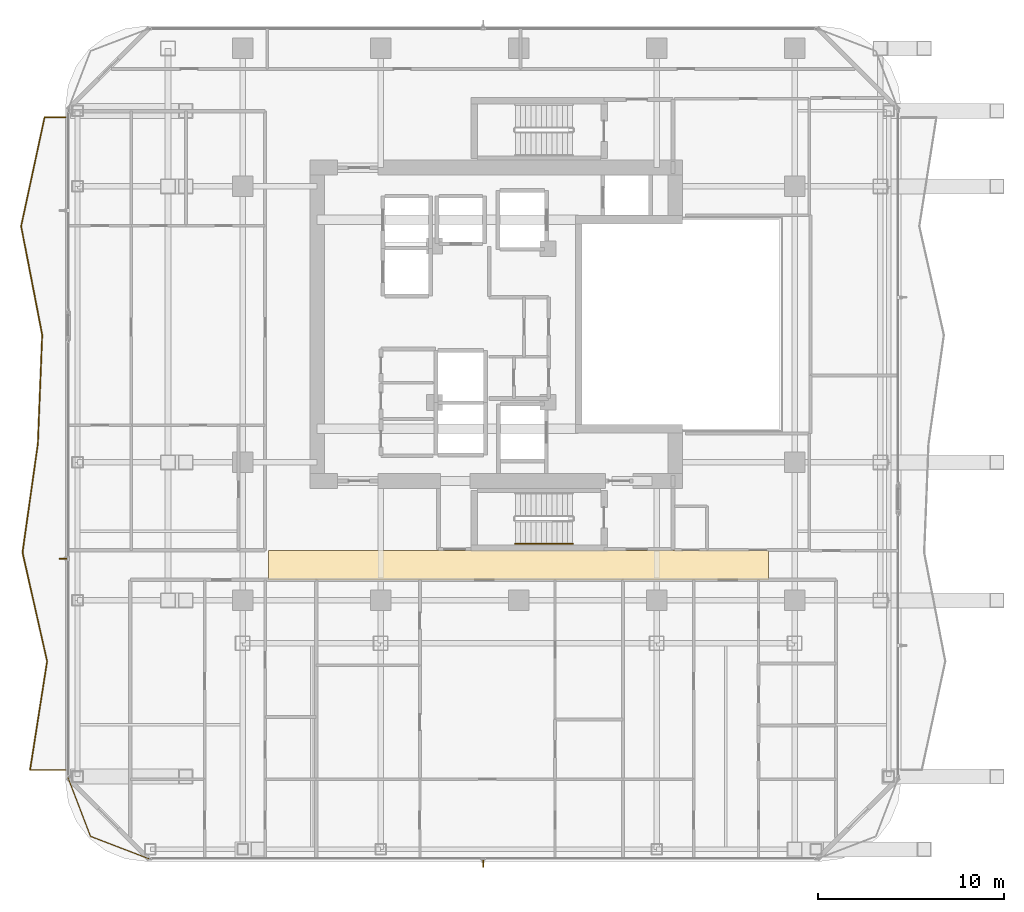
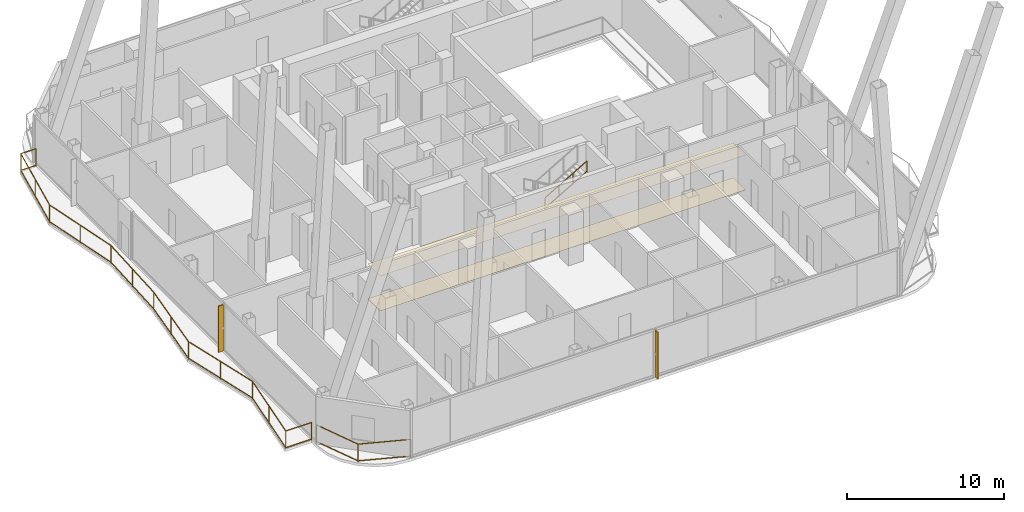
# One storey, part 25 of 27: 3 railings, 2 coverings, 2 shading devices.
"""IFC4 building model written with IfcOpenShell, lengths in metres."""

from ifc_helpers import new_model, si_unit, direction, frame, origin, origin_2d, place, context, subcontext, project, spatial, polyline, rectangle, outline, extrude, material, layer, layer_set, type_object, element, save


model = new_model("IFC4")

# Units and contexts
model_context = context("Model", 3, precision=1e-05, world=origin(), true_north=direction((0.0, 1.0)))
body_context = subcontext(model_context, "Body", "Model", "MODEL_VIEW")
ifc_project = project(units=[si_unit("LENGTHUNIT", "METRE"), si_unit("AREAUNIT", "SQUARE_METRE"), si_unit("VOLUMEUNIT", "CUBIC_METRE"), si_unit("PLANEANGLEUNIT", "RADIAN"), si_unit("MASSUNIT", "GRAM", prefix="KILO")], contexts=[model_context])

# Site, building, storey
site_placement = place(None, origin())
site = spatial("IfcSite", under=ifc_project, at=site_placement, CompositionType="ELEMENT")
building_placement = place(site_placement, origin())
building = spatial("IfcBuilding", under=site, at=building_placement, Name="Khorvyn Point Tower", CompositionType="ELEMENT")
storey_placement = place(building_placement, frame((0.0, 0.0, 203.10009765625)))
storey = spatial("IfcBuildingStorey", under=building, at=storey_placement, Name="L50", CompositionType="ELEMENT", Elevation=203.10009765625)

# Shading devices
ifc_material_1 = material(Name="Bronze anodised aluminium 6063-T6", Category="aluminium")
ifc_layer_1 = layer(ifc_material_1, 0.06494140625)
ifc_layer_set_1 = layer_set([ifc_layer_1], Name="Bronze Anodised Aluminium FIN 380x65")
shading_device_type = type_object("IfcShadingDeviceType", Name="Bronze Anodised Aluminium FIN 380x65", PredefinedType="USERDEFINED", material=ifc_layer_set_1)
for number, where, z_axis, x_axis, name in (
    (1, (-1.89990234375, -28.929931640625, 0.039794921875), (0.0, 0.0, 1.0), (0.0, -1.0, 0.0), "L50 Anodised FIN 01"),
    (2, (-24.429931640625, -12.56640625, 0.039794921875), (0.0, 0.0, 1.0), (-1.0, 0.0, 0.0), "L50 Anodised FIN 01"),
):
    element("IfcShadingDevice", number, at=place(storey_placement, frame(where, z_axis=z_axis, x_axis=x_axis)), inside=storey, type_object=shading_device_type, Name=name, ObjectType="FIN", PredefinedType="USERDEFINED", context=body_context, shape_type="SweptSolid", body=[
        extrude(rectangle(XDim=0.3798828125, YDim=0.06494140625, at=origin_2d()), origin(), (0.0, 0.0, 1.0), 3.60009765625),
    ])

# Railings
ifc_material_2 = material(Name="Anodised aluminium 6063-T6 and laminated safety glass", Category="aluminium")
railing_type_1 = type_object("IfcRailingType", Name="Laminated Glass and Aluminium Balcony Guardrail 1400", PredefinedType="BALUSTRADE", material=ifc_material_2)
railing_1_placement = place(storey_placement, frame((-24.17431640625, -24.28125, 0.0)))
element("IfcRailing", 3, at=railing_1_placement, inside=storey, type_object=railing_type_1, Name="L50 Rounded Corner Edge Guardrail SW", PredefinedType="BALUSTRADE", context=body_context, shape_type="SweptSolid", body=[
    extrude(rectangle(XDim=0.048095703125, YDim=0.048095703125, at=origin_2d()), frame((0.0, 0.0, 1.3759765625), z_axis=(0.358343916815, -0.933589651443, 0.0), x_axis=(0.933589651443, 0.358343916815, 0.0)), (0.0, 0.0, 1.0), 3.400390625),
    extrude(rectangle(XDim=0.048095703125, YDim=0.048095703125, at=origin_2d()), frame((0.0, 0.0, 0.080078125), z_axis=(0.358343916815, -0.933589651443, 0.0), x_axis=(0.933589651443, 0.358343916815, 0.0)), (0.0, 0.0, 1.0), 3.400390625),
    extrude(rectangle(XDim=0.048095703125, YDim=0.048095703125, at=origin_2d()), frame((1.218505859375, -3.174560546875, 1.3759765625), z_axis=(0.933589651443, -0.358343916815, 0.0), x_axis=(0.358343916815, 0.933589651443, 0.0)), (0.0, 0.0, 1.0), 3.400390625),
    extrude(rectangle(XDim=0.048095703125, YDim=0.048095703125, at=origin_2d()), frame((1.218505859375, -3.174560546875, 0.080078125), z_axis=(0.933589651443, -0.358343916815, 0.0), x_axis=(0.358343916815, 0.933589651443, 0.0)), (0.0, 0.0, 1.0), 3.400390625),
    extrude(rectangle(XDim=0.0419921875, YDim=0.0419921875, at=origin_2d()), origin(), (0.0, 0.0, 1.0), 1.351806640625),
    extrude(rectangle(XDim=0.0419921875, YDim=0.0419921875, at=origin_2d()), frame((1.218505859375, -3.174560546875, 0.0)), (0.0, 0.0, 1.0), 1.351806640625),
    extrude(rectangle(XDim=0.0419921875, YDim=0.0419921875, at=origin_2d()), frame((4.39306640625, -4.39306640625, 0.0)), (0.0, 0.0, 1.0), 1.351806640625),
])
railing_2_placement = place(storey_placement, frame((-24.300048828125, 11.10009765625, 0.0)))
element("IfcRailing", 4, at=railing_2_placement, inside=storey, type_object=railing_type_1, Name="L50 West Balcony Guardrail", PredefinedType="BALUSTRADE", context=body_context, shape_type="SweptSolid", body=[
    extrude(rectangle(XDim=0.048095703125, YDim=0.048095703125, at=origin_2d()), frame((0.0, 0.0, 1.3759765625), z_axis=(-1.0, 0.0, 0.0), x_axis=(0.0, -1.0, 0.0)), (0.0, 0.0, 1.0), 1.11865234375),
    extrude(rectangle(XDim=0.048095703125, YDim=0.048095703125, at=origin_2d()), frame((0.0, 0.0, 0.080078125), z_axis=(-1.0, 0.0, 0.0), x_axis=(0.0, -1.0, 0.0)), (0.0, 0.0, 1.0), 1.11865234375),
    extrude(rectangle(XDim=0.048095703125, YDim=0.048095703125, at=origin_2d()), frame((-1.11865234375, 0.0, 1.3759765625), z_axis=(-0.210931383898, -0.977500870223, 0.0), x_axis=(0.977500870223, -0.210931383898, 0.0)), (0.0, 0.0, 1.0), 5.9677734375),
    extrude(rectangle(XDim=0.048095703125, YDim=0.048095703125, at=origin_2d()), frame((-1.11865234375, 0.0, 0.080078125), z_axis=(-0.210931383898, -0.977500870223, 0.0), x_axis=(0.977500870223, -0.210931383898, 0.0)), (0.0, 0.0, 1.0), 5.9677734375),
    extrude(rectangle(XDim=0.048095703125, YDim=0.048095703125, at=origin_2d()), frame((-2.37744140625, -5.83349609375, 1.3759765625), z_axis=(0.190281248462, -0.981729619846, 0.0), x_axis=(0.981729619846, 0.190281248462, 0.0)), (0.0, 0.0, 1.0), 5.94189453125),
    extrude(rectangle(XDim=0.048095703125, YDim=0.048095703125, at=origin_2d()), frame((-2.37744140625, -5.83349609375, 0.080078125), z_axis=(0.190281248462, -0.981729619846, 0.0), x_axis=(0.981729619846, 0.190281248462, 0.0)), (0.0, 0.0, 1.0), 5.94189453125),
    extrude(rectangle(XDim=0.048095703125, YDim=0.048095703125, at=origin_2d()), frame((-1.246826171875, -11.666748046875, 1.3759765625), z_axis=(-0.039770961789, -0.999208822318, 0.0), x_axis=(0.999208822318, -0.039770961789, 0.0)), (0.0, 0.0, 1.0), 5.837890625),
    extrude(rectangle(XDim=0.048095703125, YDim=0.048095703125, at=origin_2d()), frame((-1.246826171875, -11.666748046875, 0.080078125), z_axis=(-0.039770961789, -0.999208822318, 0.0), x_axis=(0.999208822318, -0.039770961789, 0.0)), (0.0, 0.0, 1.0), 5.837890625),
    extrude(rectangle(XDim=0.048095703125, YDim=0.048095703125, at=origin_2d()), frame((-1.47900390625, -17.5, 1.3759765625), z_axis=(-0.13994180172, -0.990159730615, 0.0), x_axis=(0.990159730615, -0.13994180172, 0.0)), (0.0, 0.0, 1.0), 5.891357421875),
    extrude(rectangle(XDim=0.048095703125, YDim=0.048095703125, at=origin_2d()), frame((-1.47900390625, -17.5, 0.080078125), z_axis=(-0.13994180172, -0.990159730615, 0.0), x_axis=(0.990159730615, -0.13994180172, 0.0)), (0.0, 0.0, 1.0), 5.891357421875),
    extrude(rectangle(XDim=0.048095703125, YDim=0.048095703125, at=origin_2d()), frame((-2.303466796875, -23.33349609375, 1.3759765625), z_axis=(0.2206029152, -0.975363703346, 0.0), x_axis=(0.975363703346, 0.2206029152, 0.0)), (0.0, 0.0, 1.0), 5.980712890625),
    extrude(rectangle(XDim=0.048095703125, YDim=0.048095703125, at=origin_2d()), frame((-2.303466796875, -23.33349609375, 0.080078125), z_axis=(0.2206029152, -0.975363703346, 0.0), x_axis=(0.975363703346, 0.2206029152, 0.0)), (0.0, 0.0, 1.0), 5.980712890625),
    extrude(rectangle(XDim=0.048095703125, YDim=0.048095703125, at=origin_2d()), frame((-0.984130859375, -29.166748046875, 1.3759765625), z_axis=(-0.155011288159, -0.987912698847, 0.0), x_axis=(0.987912698847, -0.155011288159, 0.0)), (0.0, 0.0, 1.0), 5.904541015625),
    extrude(rectangle(XDim=0.048095703125, YDim=0.048095703125, at=origin_2d()), frame((-0.984130859375, -29.166748046875, 0.080078125), z_axis=(-0.155011288159, -0.987912698847, 0.0), x_axis=(0.987912698847, -0.155011288159, 0.0)), (0.0, 0.0, 1.0), 5.904541015625),
    extrude(rectangle(XDim=0.048095703125, YDim=0.048095703125, at=origin_2d()), frame((-1.8994140625, -35.0, 1.3759765625), z_axis=(1.0, 0.0, 0.0), x_axis=(0.0, 1.0, 0.0)), (0.0, 0.0, 1.0), 1.8994140625),
    extrude(rectangle(XDim=0.048095703125, YDim=0.048095703125, at=origin_2d()), frame((-1.8994140625, -35.0, 0.080078125), z_axis=(1.0, 0.0, 0.0), x_axis=(0.0, 1.0, 0.0)), (0.0, 0.0, 1.0), 1.8994140625),
    extrude(rectangle(XDim=0.0419921875, YDim=0.0419921875, at=origin_2d()), origin(), (0.0, 0.0, 1.0), 1.351806640625),
    extrude(rectangle(XDim=0.0419921875, YDim=0.0419921875, at=origin_2d()), frame((-1.11865234375, 0.0, 0.0)), (0.0, 0.0, 1.0), 1.351806640625),
    extrude(rectangle(XDim=0.0419921875, YDim=0.0419921875, at=origin_2d()), frame((-1.748046875, -2.916748046875, 0.0)), (0.0, 0.0, 1.0), 1.351806640625),
    extrude(rectangle(XDim=0.0419921875, YDim=0.0419921875, at=origin_2d()), frame((-2.37744140625, -5.83349609375, 0.0)), (0.0, 0.0, 1.0), 1.351806640625),
    extrude(rectangle(XDim=0.0419921875, YDim=0.0419921875, at=origin_2d()), frame((-1.81201171875, -8.75, 0.0)), (0.0, 0.0, 1.0), 1.351806640625),
    extrude(rectangle(XDim=0.0419921875, YDim=0.0419921875, at=origin_2d()), frame((-1.246826171875, -11.666748046875, 0.0)), (0.0, 0.0, 1.0), 1.351806640625),
    extrude(rectangle(XDim=0.0419921875, YDim=0.0419921875, at=origin_2d()), frame((-1.36279296875, -14.58349609375, 0.0)), (0.0, 0.0, 1.0), 1.351806640625),
    extrude(rectangle(XDim=0.0419921875, YDim=0.0419921875, at=origin_2d()), frame((-1.47900390625, -17.5, 0.0)), (0.0, 0.0, 1.0), 1.351806640625),
    extrude(rectangle(XDim=0.0419921875, YDim=0.0419921875, at=origin_2d()), frame((-1.89111328125, -20.416748046875, 0.0)), (0.0, 0.0, 1.0), 1.351806640625),
    extrude(rectangle(XDim=0.0419921875, YDim=0.0419921875, at=origin_2d()), frame((-2.303466796875, -23.33349609375, 0.0)), (0.0, 0.0, 1.0), 1.351806640625),
    extrude(rectangle(XDim=0.0419921875, YDim=0.0419921875, at=origin_2d()), frame((-1.643798828125, -26.25, 0.0)), (0.0, 0.0, 1.0), 1.351806640625),
    extrude(rectangle(XDim=0.0419921875, YDim=0.0419921875, at=origin_2d()), frame((-0.984130859375, -29.166748046875, 0.0)), (0.0, 0.0, 1.0), 1.351806640625),
    extrude(rectangle(XDim=0.0419921875, YDim=0.0419921875, at=origin_2d()), frame((-1.44189453125, -32.08349609375, 0.0)), (0.0, 0.0, 1.0), 1.351806640625),
    extrude(rectangle(XDim=0.0419921875, YDim=0.0419921875, at=origin_2d()), frame((-1.8994140625, -35.0, 0.0)), (0.0, 0.0, 1.0), 1.351806640625),
    extrude(rectangle(XDim=0.0419921875, YDim=0.0419921875, at=origin_2d()), frame((0.0, -35.0, 0.0)), (0.0, 0.0, 1.0), 1.351806640625),
])

# Coverings
ifc_material_3 = material(Name="Mineral-fibre acoustic ceiling board", Category="gypsum")
ifc_layer_2 = layer(ifc_material_3, 0.02001953125)
ifc_layer_set_2 = layer_set([ifc_layer_2], Name="Perforated Mineral-Fibre Acoustic Suspended Ceiling 20")
covering_type_1 = type_object("IfcCoveringType", Name="Perforated Mineral-Fibre Acoustic Suspended Ceiling 20", PredefinedType="CEILING", material=ifc_layer_set_2)
covering_1_placement = place(storey_placement, frame((0.0, 0.0, 2.699951171875)))
element("IfcCovering", 5, at=covering_1_placement, inside=storey, type_object=covering_type_1, Name="L50 South Corridor Acoustic Ceiling", PredefinedType="CEILING", context=body_context, shape_type="SweptSolid", body=[
    extrude(outline(polyline([(-13.39990234375, -13.7099609375), (13.39990234375, -13.7099609375), (13.39990234375, -12.139892578125), (-13.39990234375, -12.139892578125), (-13.39990234375, -13.7099609375)])), origin(), (0.0, 0.0, 1.0), 0.02001953125),
])
ifc_material_4 = material(Name="Vitrified porcelain terrazzo tile", Category="ceramic")
ifc_layer_3 = layer(ifc_material_4, 0.01806640625)
ifc_layer_set_3 = layer_set([ifc_layer_3], Name="Porcelain Terrazzo Corridor Floor Finish Tile 18")
covering_type_2 = type_object("IfcCoveringType", Name="Porcelain Terrazzo Corridor Floor Finish Tile 18", PredefinedType="FLOORING", material=ifc_layer_set_3)
covering_2_placement = place(storey_placement, origin())
element("IfcCovering", 6, at=covering_2_placement, inside=storey, type_object=covering_type_2, Name="L50 South Corridor Terrazzo Flooring", PredefinedType="FLOORING", context=body_context, shape_type="SweptSolid", body=[
    extrude(outline(polyline([(-13.39990234375, -13.7099609375), (13.39990234375, -13.7099609375), (13.39990234375, -12.139892578125), (-13.39990234375, -12.139892578125), (-13.39990234375, -13.7099609375)])), origin(), (0.0, 0.0, 1.0), 0.017822265625),
])

# Railing
ifc_material_5 = material(Name="Stainless steel 1.4301", Category="steel")
railing_type_2 = type_object("IfcRailingType", Name="Stainless Steel 304 Stair Pitch Handrail 900", PredefinedType="HANDRAIL", material=ifc_material_5)
railing_3_placement = place(storey_placement, frame((-0.179931640625, -11.77001953125, 2.1123046875)))
element("IfcRailing", 7, at=railing_3_placement, inside=storey, type_object=railing_type_2, Name="L50 ST-01 stair handrail 2", PredefinedType="HANDRAIL", context=body_context, shape_type="SweptSolid", body=[
    extrude(rectangle(XDim=0.048095703125, YDim=0.048095703125, at=origin_2d()), frame((0.0, 0.0, 0.8759765625), z_axis=(0.864873446163, 0.0, 0.501989962173), x_axis=(0.0, 1.0, 0.0)), (0.0, 0.0, 1.0), 3.56103515625),
    extrude(rectangle(XDim=0.048095703125, YDim=0.048095703125, at=origin_2d()), frame((0.0, 0.0, 0.080078125), z_axis=(0.864873446163, 0.0, 0.501989962173), x_axis=(0.0, 1.0, 0.0)), (0.0, 0.0, 1.0), 3.56103515625),
    extrude(rectangle(XDim=0.0419921875, YDim=0.0419921875, at=origin_2d()), origin(), (0.0, 0.0, 1.0), 0.851806640625),
    extrude(rectangle(XDim=0.0419921875, YDim=0.0419921875, at=origin_2d()), frame((1.026611328125, 0.0, 0.595947265625)), (0.0, 0.0, 1.0), 0.851806640625),
    extrude(rectangle(XDim=0.0419921875, YDim=0.0419921875, at=origin_2d()), frame((2.05322265625, 0.0, 1.191650390625)), (0.0, 0.0, 1.0), 0.851806640625),
    extrude(rectangle(XDim=0.0419921875, YDim=0.0419921875, at=origin_2d()), frame((3.079833984375, 0.0, 1.78759765625)), (0.0, 0.0, 1.0), 0.851806640625),
])

save(model, "model.ifc")
